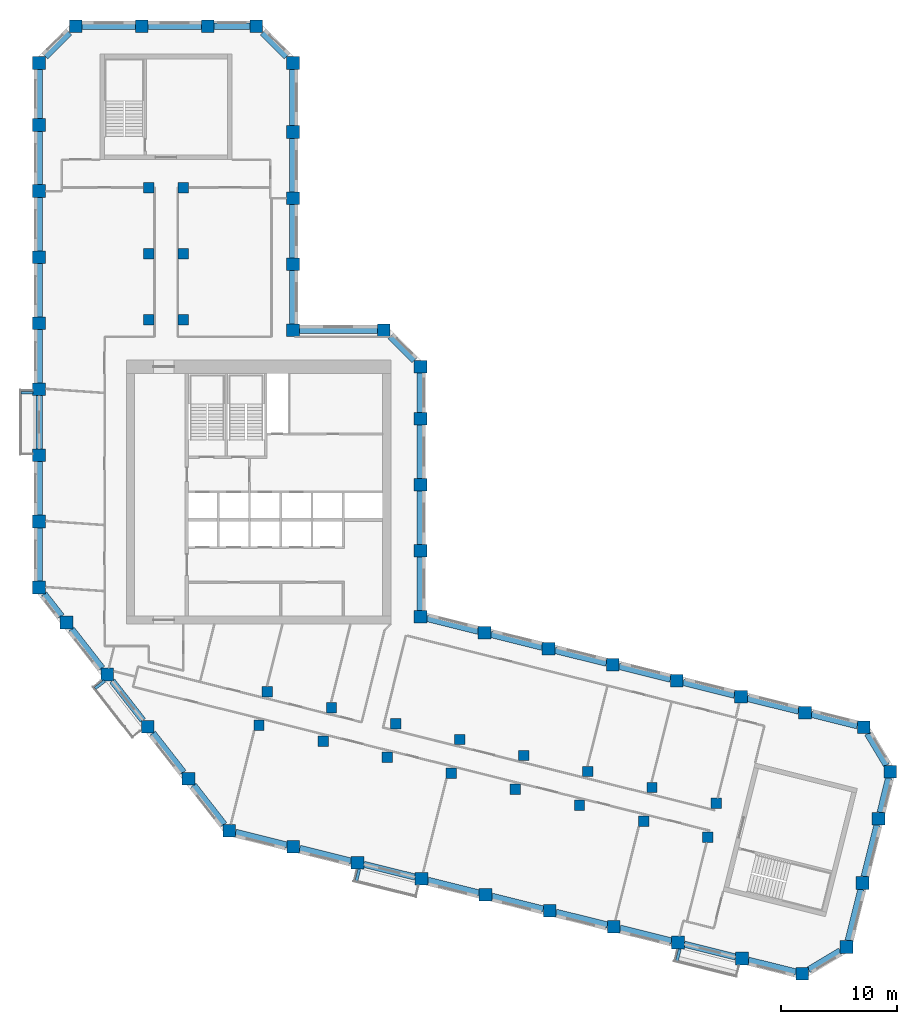
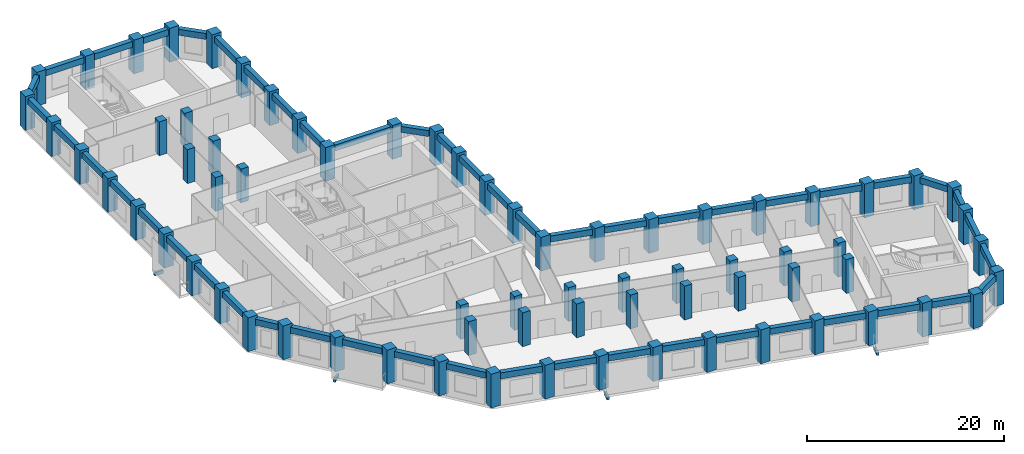
# One storey, part 1 of 10: 71 columns, 53 beams.
"""IFC4 building model written with IfcOpenShell, lengths in metres."""

from ifc_helpers import new_model, si_unit, direction, frame, origin, origin_2d, place, context, subcontext, project, spatial, rectangle, extrude, material, material_profile, profile_set, type_object, element, save


model = new_model("IFC4")

# Units and contexts
model_context = context("Model", 3, precision=1e-05, world=origin(), true_north=direction((0.0, 1.0)))
body_context = subcontext(model_context, "Body", "Model", "MODEL_VIEW")
ifc_project = project(units=[si_unit("LENGTHUNIT", "METRE"), si_unit("AREAUNIT", "SQUARE_METRE"), si_unit("VOLUMEUNIT", "CUBIC_METRE"), si_unit("PLANEANGLEUNIT", "RADIAN"), si_unit("MASSUNIT", "GRAM", prefix="KILO")], contexts=[model_context])

# Site, building, storey
site_placement = place(None, origin())
site = spatial("IfcSite", under=ifc_project, at=site_placement, CompositionType="ELEMENT")
building_placement = place(site_placement, origin())
building = spatial("IfcBuilding", under=site, at=building_placement, Name="Meshkara Civic Tower", CompositionType="ELEMENT")
storey_placement = place(building_placement, frame((0.0, 0.0, 263.39990234375)))
storey = spatial("IfcBuildingStorey", under=building, at=storey_placement, Name="L60", CompositionType="ELEMENT", Elevation=263.39990234375)

# Columns
ifc_material_1 = material(Name="Concrete C60", Category="concrete")
ifc_material_profile_1 = material_profile(ifc_material_1, rectangle(XDim=0.89990234375, YDim=0.89990234375, at=origin_2d()))
ifc_profile_set_1 = profile_set([ifc_material_profile_1], Name="Concrete C60")
column_type_1 = type_object("IfcColumnType", Name="Interior column RC 900x900 C60", PredefinedType="COLUMN", material=ifc_profile_set_1)
for number, where, z_axis, x_axis, name in (
    (1, (9.89990234375, 40.35009765625, 0.0), (0.0, 0.0, 1.0), (1.0, 0.0, 0.0), "Column SA1-04 L60"),
    (2, (9.89990234375, 46.050048828125, 0.0), (0.0, 0.0, 1.0), (1.0, 0.0, 0.0), "Column SA1-05 L60"),
    (3, (9.89990234375, 51.75, 0.0), (0.0, 0.0, 1.0), (1.0, 0.0, 0.0), "Column SA1-06 L60"),
    (4, (12.89990234375, 40.35009765625, 0.0), (0.0, 0.0, 1.0), (1.0, 0.0, 0.0), "Column SA2-04 L60"),
    (5, (12.89990234375, 46.050048828125, 0.0), (0.0, 0.0, 1.0), (1.0, 0.0, 0.0), "Column SA2-05 L60"),
    (6, (12.89990234375, 51.75, 0.0), (0.0, 0.0, 1.0), (1.0, 0.0, 0.0), "Column SA2-06 L60"),
    (7, (19.424072265625, 5.360107421875, 0.0), (0.0, 0.0, 1.0), (1.0, 0.0, 0.0), "Column SB1-00 L60"),
    (8, (24.9541015625, 3.98095703125, 0.0), (0.0, 0.0, 1.0), (1.0, 0.0, 0.0), "Column SB1-01 L60"),
    (9, (30.485107421875, 2.60205078125, 0.0), (0.0, 0.0, 1.0), (1.0, 0.0, 0.0), "Column SB1-02 L60"),
    (10, (36.01611328125, 1.222900390625, 0.0), (0.0, 0.0, 1.0), (1.0, 0.0, 0.0), "Column SB1-03 L60"),
    (11, (41.5458984375, -0.156005859375, 0.0), (0.0, 0.0, 1.0), (1.0, 0.0, 0.0), "Column SB1-04 L60"),
    (12, (47.076904296875, -1.534912109375, 0.0), (0.0, 0.0, 1.0), (1.0, 0.0, 0.0), "Column SB1-05 L60"),
    (13, (52.60791015625, -2.9140625, 0.0), (0.0, 0.0, 1.0), (1.0, 0.0, 0.0), "Column SB1-06 L60"),
    (14, (58.138916015625, -4.2919921875, 0.0), (0.0, 0.0, 1.0), (1.0, 0.0, 0.0), "Column SB1-07 L60"),
    (15, (20.14892578125, 8.27099609375, 0.0), (0.0, 0.0, 1.0), (1.0, 0.0, 0.0), "Column SB2-00 L60"),
    (16, (25.679931640625, 6.89208984375, 0.0), (0.0, 0.0, 1.0), (1.0, 0.0, 0.0), "Column SB2-01 L60"),
    (17, (31.2109375, 5.512939453125, 0.0), (0.0, 0.0, 1.0), (1.0, 0.0, 0.0), "Column SB2-02 L60"),
    (18, (36.741943359375, 4.134033203125, 0.0), (0.0, 0.0, 1.0), (1.0, 0.0, 0.0), "Column SB2-03 L60"),
    (19, (42.27197265625, 2.7548828125, 0.0), (0.0, 0.0, 1.0), (1.0, 0.0, 0.0), "Column SB2-04 L60"),
    (20, (47.802978515625, 1.3759765625, 0.0), (0.0, 0.0, 1.0), (1.0, 0.0, 0.0), "Column SB2-05 L60"),
    (21, (53.333984375, -0.0029296875, 0.0), (0.0, 0.0, 1.0), (1.0, 0.0, 0.0), "Column SB2-06 L60"),
    (22, (58.864013671875, -1.382080078125, 0.0), (0.0, 0.0, 1.0), (1.0, 0.0, 0.0), "Column SB2-07 L60"),
):
    element("IfcColumn", number, at=place(storey_placement, frame(where, z_axis=z_axis, x_axis=x_axis)), inside=storey, type_object=column_type_1, Name=name, PredefinedType="COLUMN", context=body_context, shape_type="SweptSolid", body=[
        extrude(rectangle(XDim=0.89990234375, YDim=0.89990234375, at=origin_2d()), origin(), (0.0, 0.0, 1.0), 4.2001953125),
    ])
ifc_material_2 = material(Name="Concrete C60", Category="concrete")
ifc_material_profile_2 = material_profile(ifc_material_2, rectangle(XDim=1.10009765625, YDim=1.10009765625, at=origin_2d()))
ifc_profile_set_2 = profile_set([ifc_material_profile_2], Name="Concrete C60")
column_type_2 = type_object("IfcColumnType", Name="Perimeter column RC 1100x1100 C60", PredefinedType="COLUMN", material=ifc_profile_set_2)
for number, where, z_axis, x_axis, name in (
    (23, (33.35009765625, 14.718994140625, 0.0), (0.0, 0.0, 1.0), (1.0, 0.0, 0.0), "Column HE00 L60"),
    (24, (33.35009765625, 20.4189453125, 0.0), (0.0, 0.0, 1.0), (1.0, 0.0, 0.0), "Column HE01 L60"),
    (25, (33.35009765625, 26.118896484375, 0.0), (0.0, 0.0, 1.0), (1.0, 0.0, 0.0), "Column HE02 L60"),
    (26, (33.35009765625, 31.819091796875, 0.0), (0.0, 0.0, 1.0), (1.0, 0.0, 0.0), "Column HE03 L60"),
    (27, (33.35009765625, 36.2939453125, 0.0), (0.0, 0.0, 1.0), (1.0, 0.0, 0.0), "Column HEE L60"),
    (28, (30.194091796875, 39.449951171875, 0.0), (0.0, 0.0, 1.0), (1.0, 0.0, 0.0), "Column HCeE L60"),
    (29, (22.35009765625, 39.449951171875, 0.0), (0.0, 0.0, 1.0), (1.0, 0.0, 0.0), "Column HN00 L60"),
    (30, (22.35009765625, 45.14990234375, 0.0), (0.0, 0.0, 1.0), (1.0, 0.0, 0.0), "Column AE01 L60"),
    (31, (22.35009765625, 50.85009765625, 0.0), (0.0, 0.0, 1.0), (1.0, 0.0, 0.0), "Column AE02 L60"),
    (32, (22.35009765625, 56.550048828125, 0.0), (0.0, 0.0, 1.0), (1.0, 0.0, 0.0), "Column AE03 L60"),
    (33, (22.35009765625, 62.513916015625, 0.0), (0.0, 0.0, 1.0), (1.0, 0.0, 0.0), "Column AEEP3 L60"),
    (34, (19.194091796875, 65.669921875, 0.0), (0.0, 0.0, 1.0), (1.0, 0.0, 0.0), "Column ATiEP3 L60"),
    (35, (3.60595703125, 65.669921875, 0.0), (0.0, 0.0, 1.0), (1.0, 0.0, 0.0), "Column AT00-P3 L60"),
    (36, (9.305908203125, 65.669921875, 0.0), (0.0, 0.0, 1.0), (1.0, 0.0, 0.0), "Column AT01-P3 L60"),
    (37, (15.006103515625, 65.669921875, 0.0), (0.0, 0.0, 1.0), (1.0, 0.0, 0.0), "Column AT02-P3 L60"),
    (38, (0.449951171875, 62.513916015625, 0.0), (0.0, 0.0, 1.0), (1.0, 0.0, 0.0), "Column ATo00-P3 L60"),
    (39, (0.449951171875, 17.2548828125, 0.0), (0.0, 0.0, 1.0), (1.0, 0.0, 0.0), "Column AW00 L60"),
    (40, (0.449951171875, 22.955078125, 0.0), (0.0, 0.0, 1.0), (1.0, 0.0, 0.0), "Column AW01 L60"),
    (41, (0.449951171875, 28.655029296875, 0.0), (0.0, 0.0, 1.0), (1.0, 0.0, 0.0), "Column AW02 L60"),
    (42, (0.449951171875, 34.35498046875, 0.0), (0.0, 0.0, 1.0), (1.0, 0.0, 0.0), "Column AW03 L60"),
    (43, (0.449951171875, 40.054931640625, 0.0), (0.0, 0.0, 1.0), (1.0, 0.0, 0.0), "Column AW04 L60"),
    (44, (0.449951171875, 45.7548828125, 0.0), (0.0, 0.0, 1.0), (1.0, 0.0, 0.0), "Column AW05 L60"),
    (45, (0.449951171875, 51.455078125, 0.0), (0.0, 0.0, 1.0), (1.0, 0.0, 0.0), "Column AW06 L60"),
    (46, (0.449951171875, 57.155029296875, 0.0), (0.0, 0.0, 1.0), (1.0, 0.0, 0.0), "Column AW07 L60"),
    (47, (16.85107421875, -3.738037109375, 0.0), (0.0, 0.0, 1.0), (1.0, 0.0, 0.0), "Column BOW00 L60"),
    (48, (13.342041015625, 0.75390625, 0.0), (0.0, 0.0, 1.0), (1.0, 0.0, 0.0), "Column BOW01 L60"),
    (49, (9.8330078125, 5.2451171875, 0.0), (0.0, 0.0, 1.0), (1.0, 0.0, 0.0), "Column BOW02 L60"),
    (50, (6.322998046875, 9.737060546875, 0.0), (0.0, 0.0, 1.0), (1.0, 0.0, 0.0), "Column BOW03 L60"),
    (51, (2.81396484375, 14.22900390625, 0.0), (0.0, 0.0, 1.0), (1.0, 0.0, 0.0), "Column BOW04 L60"),
    (52, (22.382080078125, -5.116943359375, 0.0), (0.0, 0.0, 1.0), (1.0, 0.0, 0.0), "Column BS01 L60"),
    (53, (27.912109375, -6.49609375, 0.0), (0.0, 0.0, 1.0), (1.0, 0.0, 0.0), "Column BS02 L60"),
    (54, (33.443115234375, -7.875, 0.0), (0.0, 0.0, 1.0), (1.0, 0.0, 0.0), "Column BS03 L60"),
    (55, (38.97412109375, -9.2529296875, 0.0), (0.0, 0.0, 1.0), (1.0, 0.0, 0.0), "Column BS04-P1 L60"),
    (56, (44.5048828125, -10.632080078125, 0.0), (0.0, 0.0, 1.0), (1.0, 0.0, 0.0), "Column BS05 L60"),
    (57, (50.034912109375, -12.010986328125, 0.0), (0.0, 0.0, 1.0), (1.0, 0.0, 0.0), "Column BS06 L60"),
    (58, (55.56591796875, -13.389892578125, 0.0), (0.0, 0.0, 1.0), (1.0, 0.0, 0.0), "Column BS07 L60"),
    (59, (61.096923828125, -14.76904296875, 0.0), (0.0, 0.0, 1.0), (1.0, 0.0, 0.0), "Column BS08 L60"),
    (60, (66.2958984375, -16.06494140625, 0.0), (0.0, 0.0, 1.0), (1.0, 0.0, 0.0), "Column BSEP3 L60"),
    (61, (70.1220703125, -13.76611328125, 0.0), (0.0, 0.0, 1.0), (1.0, 0.0, 0.0), "Column BToEP3 L60"),
    (62, (71.5009765625, -8.235107421875, 0.0), (0.0, 0.0, 1.0), (1.0, 0.0, 0.0), "Column BT01-P3 L60"),
    (63, (72.8798828125, -2.705078125, 0.0), (0.0, 0.0, 1.0), (1.0, 0.0, 0.0), "Column BT02-P3 L60"),
    (64, (73.89306640625, 1.35791015625, 0.0), (0.0, 0.0, 1.0), (1.0, 0.0, 0.0), "Column BTEP3 L60"),
    (65, (71.593994140625, 5.18310546875, 0.0), (0.0, 0.0, 1.0), (1.0, 0.0, 0.0), "Column BTi00-P3 L60"),
    (66, (38.881103515625, 13.340087890625, 0.0), (0.0, 0.0, 1.0), (1.0, 0.0, 0.0), "Column BN01 L60"),
    (67, (44.410888671875, 11.9609375, 0.0), (0.0, 0.0, 1.0), (1.0, 0.0, 0.0), "Column BN02 L60"),
    (68, (49.94189453125, 10.58203125, 0.0), (0.0, 0.0, 1.0), (1.0, 0.0, 0.0), "Column BN03 L60"),
    (69, (55.472900390625, 9.202880859375, 0.0), (0.0, 0.0, 1.0), (1.0, 0.0, 0.0), "Column BN04 L60"),
    (70, (61.0029296875, 7.823974609375, 0.0), (0.0, 0.0, 1.0), (1.0, 0.0, 0.0), "Column BN05 L60"),
    (71, (66.533935546875, 6.445068359375, 0.0), (0.0, 0.0, 1.0), (1.0, 0.0, 0.0), "Column BN06 L60"),
):
    element("IfcColumn", number, at=place(storey_placement, frame(where, z_axis=z_axis, x_axis=x_axis)), inside=storey, type_object=column_type_2, Name=name, PredefinedType="COLUMN", context=body_context, shape_type="SweptSolid", body=[
        extrude(rectangle(XDim=1.10009765625, YDim=1.10009765625, at=origin_2d()), origin(), (0.0, 0.0, 1.0), 4.2001953125),
    ])

# Beams
ifc_material_3 = material(Name="Concrete C50", Category="concrete")
ifc_material_profile_3 = material_profile(ifc_material_3, rectangle(XDim=0.25, YDim=0.39990234375, at=origin_2d()))
ifc_profile_set_3 = profile_set([ifc_material_profile_3], Name="Concrete C50")
beam_type_1 = type_object("IfcBeamType", Name="Balcony bracket beam RC 250x400 C50", PredefinedType="BEAM", material=ifc_profile_set_3)
beam_1_placement = place(storey_placement, frame((-0.094970703125, 34.054931640625, -0.5), z_axis=(-1.0, 0.0, 0.0), x_axis=(0.0, -1.0, 0.0)))
element("IfcBeam", 72, at=beam_1_placement, inside=storey, type_object=beam_type_1, Name="Balcony bracket beam", PredefinedType="BEAM", context=body_context, shape_type="SweptSolid", body=[
    extrude(rectangle(XDim=0.25, YDim=0.39990234375, at=origin_2d()), origin(), (0.0, 0.0, 1.0), 1.005126953125),
])
beam_2_placement = place(storey_placement, frame((6.110107421875, 9.18994140625, -0.5), z_axis=(-0.788091711778, -0.615557839546, 0.0), x_axis=(0.615557839546, -0.788091711778, 0.0)))
element("IfcBeam", 73, at=beam_2_placement, inside=storey, type_object=beam_type_1, Name="Balcony bracket beam", PredefinedType="BEAM", context=body_context, shape_type="SweptSolid", body=[
    extrude(rectangle(XDim=0.25, YDim=0.39990234375, at=origin_2d()), origin(), (0.0, 0.0, 1.0), 1.044189453125),
])
beam_3_placement = place(storey_placement, frame((28.0849609375, -7.041015625, -0.5), z_axis=(-0.241940897637, -0.970290988338, 0.0), x_axis=(0.970290988338, -0.241940897637, 0.0)))
element("IfcBeam", 74, at=beam_3_placement, inside=storey, type_object=beam_type_1, Name="Balcony bracket beam", PredefinedType="BEAM", context=body_context, shape_type="SweptSolid", body=[
    extrude(rectangle(XDim=0.25, YDim=0.39990234375, at=origin_2d()), origin(), (0.0, 0.0, 1.0), 1.0625),
])
beam_4_placement = place(storey_placement, frame((55.739013671875, -13.93505859375, -0.5), z_axis=(-0.241725333206, -0.970344713639, 0.0), x_axis=(0.970344713639, -0.241725333206, 0.0)))
element("IfcBeam", 75, at=beam_4_placement, inside=storey, type_object=beam_type_1, Name="Balcony bracket beam", PredefinedType="BEAM", context=body_context, shape_type="SweptSolid", body=[
    extrude(rectangle(XDim=0.25, YDim=0.39990234375, at=origin_2d()), origin(), (0.0, 0.0, 1.0), 1.0634765625),
])
ifc_material_4 = material(Name="Concrete C60", Category="concrete")
ifc_material_profile_4 = material_profile(ifc_material_4, rectangle(XDim=0.550048828125, YDim=0.75, at=origin_2d()))
ifc_profile_set_4 = profile_set([ifc_material_profile_4], Name="Concrete C60")
beam_type_2 = type_object("IfcBeamType", Name="Spandrel beam RC 550x750 C60", PredefinedType="BEAM", material=ifc_profile_set_4)
beam_5_placement = place(storey_placement, frame((65.989013671875, 6.580810546875, 3.525146484375), z_axis=(-0.970299186733, 0.241908016044, 0.0), x_axis=(-0.241908016044, -0.970299186733, 0.0)))
element("IfcBeam", 76, at=beam_5_placement, inside=storey, type_object=beam_type_2, Name="Spandrel beam BN05-BN06", PredefinedType="BEAM", context=body_context, shape_type="SweptSolid", body=[
    extrude(rectangle(XDim=0.550048828125, YDim=0.75, at=origin_2d()), origin(), (0.0, 0.0, 1.0), 4.576904296875),
])
beam_6_placement = place(storey_placement, frame((60.4580078125, 7.9599609375, 3.525146484375), z_axis=(-0.970286696562, 0.241958108925, 0.0), x_axis=(-0.241958108925, -0.970286696562, 0.0)))
element("IfcBeam", 77, at=beam_6_placement, inside=storey, type_object=beam_type_2, Name="Spandrel beam BN04-BN05", PredefinedType="BEAM", context=body_context, shape_type="SweptSolid", body=[
    extrude(rectangle(XDim=0.550048828125, YDim=0.75, at=origin_2d()), origin(), (0.0, 0.0, 1.0), 4.575927734375),
])
for number, where, z_axis, x_axis, name in (
    (78, (54.927978515625, 9.3388671875, 3.525146484375), (-0.970299186733, 0.241908016044, 0.0), (-0.241908016044, -0.970299186733, 0.0), "Spandrel beam BN03-BN04"),
    (79, (49.39697265625, 10.718017578125, 3.525146484375), (-0.970299186733, 0.241908016044, 0.0), (-0.241908016044, -0.970299186733, 0.0), "Spandrel beam BN02-BN03"),
):
    element("IfcBeam", number, at=place(storey_placement, frame(where, z_axis=z_axis, x_axis=x_axis)), inside=storey, type_object=beam_type_2, Name=name, PredefinedType="BEAM", context=body_context, shape_type="SweptSolid", body=[
        extrude(rectangle(XDim=0.550048828125, YDim=0.75, at=origin_2d()), origin(), (0.0, 0.0, 1.0), 4.576904296875),
    ])
beam_7_placement = place(storey_placement, frame((43.865966796875, 12.096923828125, 3.525146484375), z_axis=(-0.970286696562, 0.241958108925, 0.0), x_axis=(-0.241958108925, -0.970286696562, 0.0)))
element("IfcBeam", 80, at=beam_7_placement, inside=storey, type_object=beam_type_2, Name="Spandrel beam BN01-BN02", PredefinedType="BEAM", context=body_context, shape_type="SweptSolid", body=[
    extrude(rectangle(XDim=0.550048828125, YDim=0.75, at=origin_2d()), origin(), (0.0, 0.0, 1.0), 4.575927734375),
])
beam_8_placement = place(storey_placement, frame((38.3359375, 13.475830078125, 3.525146484375), z_axis=(-0.970299186733, 0.241908016044, 0.0), x_axis=(-0.241908016044, -0.970299186733, 0.0)))
element("IfcBeam", 81, at=beam_8_placement, inside=storey, type_object=beam_type_2, Name="Spandrel beam BN01-HE00", PredefinedType="BEAM", context=body_context, shape_type="SweptSolid", body=[
    extrude(rectangle(XDim=0.550048828125, YDim=0.75, at=origin_2d()), origin(), (0.0, 0.0, 1.0), 4.576904296875),
])
beam_9_placement = place(storey_placement, frame((33.35009765625, 15.263916015625, 3.525146484375), z_axis=(0.0, 1.0, 0.0), x_axis=(-1.0, 0.0, 0.0)))
element("IfcBeam", 82, at=beam_9_placement, inside=storey, type_object=beam_type_2, Name="Spandrel beam HE00-HE01", PredefinedType="BEAM", context=body_context, shape_type="SweptSolid", body=[
    extrude(rectangle(XDim=0.550048828125, YDim=0.75, at=origin_2d()), origin(), (0.0, 0.0, 1.0), 4.610107421875),
])
for number, where, z_axis, x_axis, name in (
    (83, (33.35009765625, 20.964111328125, 3.525146484375), (0.0, 1.0, 0.0), (-1.0, 0.0, 0.0), "Spandrel beam HE01-HE02"),
    (84, (33.35009765625, 26.6640625, 3.525146484375), (0.0, 1.0, 0.0), (-1.0, 0.0, 0.0), "Spandrel beam HE02-HE03"),
):
    element("IfcBeam", number, at=place(storey_placement, frame(where, z_axis=z_axis, x_axis=x_axis)), inside=storey, type_object=beam_type_2, Name=name, PredefinedType="BEAM", context=body_context, shape_type="SweptSolid", body=[
        extrude(rectangle(XDim=0.550048828125, YDim=0.75, at=origin_2d()), origin(), (0.0, 0.0, 1.0), 4.60986328125),
    ])
beam_10_placement = place(storey_placement, frame((33.35009765625, 32.364013671875, 3.525146484375), z_axis=(0.0, 1.0, 0.0), x_axis=(-1.0, 0.0, 0.0)))
element("IfcBeam", 85, at=beam_10_placement, inside=storey, type_object=beam_type_2, Name="Spandrel beam HE03-HEE", PredefinedType="BEAM", context=body_context, shape_type="SweptSolid", body=[
    extrude(rectangle(XDim=0.550048828125, YDim=0.75, at=origin_2d()), origin(), (0.0, 0.0, 1.0), 3.385009765625),
])
beam_11_placement = place(storey_placement, frame((32.803466796875, 36.840576171875, 3.525146484375), z_axis=(-0.707106781187, 0.707106781187, 0.0), x_axis=(-0.707106781187, -0.707106781187, 0.0)))
element("IfcBeam", 86, at=beam_11_placement, inside=storey, type_object=beam_type_2, Name="Spandrel beam HCeE-HEE", PredefinedType="BEAM", context=body_context, shape_type="SweptSolid", body=[
    extrude(rectangle(XDim=0.550048828125, YDim=0.75, at=origin_2d()), origin(), (0.0, 0.0, 1.0), 2.91748046875),
])
beam_12_placement = place(storey_placement, frame((29.64892578125, 39.449951171875, 3.525146484375), z_axis=(-1.0, 0.0, 0.0), x_axis=(0.0, -1.0, 0.0)))
element("IfcBeam", 87, at=beam_12_placement, inside=storey, type_object=beam_type_2, Name="Spandrel beam HCeE-HN00", PredefinedType="BEAM", context=body_context, shape_type="SweptSolid", body=[
    extrude(rectangle(XDim=0.550048828125, YDim=0.75, at=origin_2d()), origin(), (0.0, 0.0, 1.0), 6.75390625),
])
for number, where, z_axis, x_axis, name in (
    (88, (22.35009765625, 39.9951171875, 3.525146484375), (0.0, 1.0, 0.0), (-1.0, 0.0, 0.0), "Spandrel beam AE01-HN00"),
    (89, (22.35009765625, 45.695068359375, 3.525146484375), (0.0, 1.0, 0.0), (-1.0, 0.0, 0.0), "Spandrel beam AE01-AE02"),
    (90, (22.35009765625, 51.39501953125, 3.525146484375), (0.0, 1.0, 0.0), (-1.0, 0.0, 0.0), "Spandrel beam AE02-AE03"),
):
    element("IfcBeam", number, at=place(storey_placement, frame(where, z_axis=z_axis, x_axis=x_axis)), inside=storey, type_object=beam_type_2, Name=name, PredefinedType="BEAM", context=body_context, shape_type="SweptSolid", body=[
        extrude(rectangle(XDim=0.550048828125, YDim=0.75, at=origin_2d()), origin(), (0.0, 0.0, 1.0), 4.60986328125),
    ])
beam_13_placement = place(storey_placement, frame((22.35009765625, 57.094970703125, 3.525146484375), z_axis=(0.0, 1.0, 0.0), x_axis=(-1.0, 0.0, 0.0)))
element("IfcBeam", 91, at=beam_13_placement, inside=storey, type_object=beam_type_2, Name="Spandrel beam AE03-AEEP3", PredefinedType="BEAM", context=body_context, shape_type="SweptSolid", body=[
    extrude(rectangle(XDim=0.550048828125, YDim=0.75, at=origin_2d()), origin(), (0.0, 0.0, 1.0), 4.8740234375),
])
beam_14_placement = place(storey_placement, frame((21.803466796875, 63.060546875, 3.525146484375), z_axis=(-0.707106781187, 0.707106781187, 0.0), x_axis=(-0.707106781187, -0.707106781187, 0.0)))
element("IfcBeam", 92, at=beam_14_placement, inside=storey, type_object=beam_type_2, Name="Spandrel beam AEEP3-ATiEP3", PredefinedType="BEAM", context=body_context, shape_type="SweptSolid", body=[
    extrude(rectangle(XDim=0.550048828125, YDim=0.75, at=origin_2d()), origin(), (0.0, 0.0, 1.0), 2.91748046875),
])
beam_15_placement = place(storey_placement, frame((18.64892578125, 65.669921875, 3.525146484375), z_axis=(-1.0, 0.0, 0.0), x_axis=(0.0, -1.0, 0.0)))
element("IfcBeam", 93, at=beam_15_placement, inside=storey, type_object=beam_type_2, Name="Spandrel beam AT02-P3-ATiEP3", PredefinedType="BEAM", context=body_context, shape_type="SweptSolid", body=[
    extrude(rectangle(XDim=0.550048828125, YDim=0.75, at=origin_2d()), origin(), (0.0, 0.0, 1.0), 3.097900390625),
])
beam_16_placement = place(storey_placement, frame((14.4609375, 65.669921875, 3.525146484375), z_axis=(-1.0, 0.0, 0.0), x_axis=(0.0, -1.0, 0.0)))
element("IfcBeam", 94, at=beam_16_placement, inside=storey, type_object=beam_type_2, Name="Spandrel beam AT01-P3-AT02-P3", PredefinedType="BEAM", context=body_context, shape_type="SweptSolid", body=[
    extrude(rectangle(XDim=0.550048828125, YDim=0.75, at=origin_2d()), origin(), (0.0, 0.0, 1.0), 4.60986328125),
])
beam_17_placement = place(storey_placement, frame((8.760986328125, 65.669921875, 3.525146484375), z_axis=(-1.0, 0.0, 0.0), x_axis=(0.0, -1.0, 0.0)))
element("IfcBeam", 95, at=beam_17_placement, inside=storey, type_object=beam_type_2, Name="Spandrel beam AT00-P3-AT01-P3", PredefinedType="BEAM", context=body_context, shape_type="SweptSolid", body=[
    extrude(rectangle(XDim=0.550048828125, YDim=0.75, at=origin_2d()), origin(), (0.0, 0.0, 1.0), 4.610107421875),
])
beam_18_placement = place(storey_placement, frame((3.0595703125, 65.12353515625, 3.525146484375), z_axis=(-0.707106781187, -0.707106781187, 0.0), x_axis=(0.707106781187, -0.707106781187, 0.0)))
element("IfcBeam", 96, at=beam_18_placement, inside=storey, type_object=beam_type_2, Name="Spandrel beam AT00-P3-ATo00-P3", PredefinedType="BEAM", context=body_context, shape_type="SweptSolid", body=[
    extrude(rectangle(XDim=0.550048828125, YDim=0.75, at=origin_2d()), origin(), (0.0, 0.0, 1.0), 2.91748046875),
])
beam_19_placement = place(storey_placement, frame((0.449951171875, 61.968994140625, 3.525146484375), z_axis=(0.0, -1.0, 0.0), x_axis=(1.0, 0.0, 0.0)))
element("IfcBeam", 97, at=beam_19_placement, inside=storey, type_object=beam_type_2, Name="Spandrel beam ATo00-P3-AW07", PredefinedType="BEAM", context=body_context, shape_type="SweptSolid", body=[
    extrude(rectangle(XDim=0.550048828125, YDim=0.75, at=origin_2d()), origin(), (0.0, 0.0, 1.0), 4.26904296875),
])
beam_20_placement = place(storey_placement, frame((0.449951171875, 56.610107421875, 3.525146484375), z_axis=(0.0, -1.0, 0.0), x_axis=(1.0, 0.0, 0.0)))
element("IfcBeam", 98, at=beam_20_placement, inside=storey, type_object=beam_type_2, Name="Spandrel beam AW06-AW07", PredefinedType="BEAM", context=body_context, shape_type="SweptSolid", body=[
    extrude(rectangle(XDim=0.550048828125, YDim=0.75, at=origin_2d()), origin(), (0.0, 0.0, 1.0), 4.610107421875),
])
for number, where, z_axis, x_axis, name in (
    (99, (0.449951171875, 50.909912109375, 3.525146484375), (0.0, -1.0, 0.0), (1.0, 0.0, 0.0), "Spandrel beam AW05-AW06"),
    (100, (0.449951171875, 45.2099609375, 3.525146484375), (0.0, -1.0, 0.0), (1.0, 0.0, 0.0), "Spandrel beam AW04-AW05"),
):
    element("IfcBeam", number, at=place(storey_placement, frame(where, z_axis=z_axis, x_axis=x_axis)), inside=storey, type_object=beam_type_2, Name=name, PredefinedType="BEAM", context=body_context, shape_type="SweptSolid", body=[
        extrude(rectangle(XDim=0.550048828125, YDim=0.75, at=origin_2d()), origin(), (0.0, 0.0, 1.0), 4.60986328125),
    ])
for number, where, z_axis, x_axis, name in (
    (101, (0.449951171875, 39.510009765625, 3.525146484375), (0.0, -1.0, 0.0), (1.0, 0.0, 0.0), "Spandrel beam AW03-AW04"),
    (102, (0.449951171875, 33.81005859375, 3.525146484375), (0.0, -1.0, 0.0), (1.0, 0.0, 0.0), "Spandrel beam AW02-AW03"),
    (103, (0.449951171875, 28.110107421875, 3.525146484375), (0.0, -1.0, 0.0), (1.0, 0.0, 0.0), "Spandrel beam AW01-AW02"),
):
    element("IfcBeam", number, at=place(storey_placement, frame(where, z_axis=z_axis, x_axis=x_axis)), inside=storey, type_object=beam_type_2, Name=name, PredefinedType="BEAM", context=body_context, shape_type="SweptSolid", body=[
        extrude(rectangle(XDim=0.550048828125, YDim=0.75, at=origin_2d()), origin(), (0.0, 0.0, 1.0), 4.610107421875),
    ])
beam_21_placement = place(storey_placement, frame((0.449951171875, 22.409912109375, 3.525146484375), z_axis=(0.0, -1.0, 0.0), x_axis=(1.0, 0.0, 0.0)))
element("IfcBeam", 104, at=beam_21_placement, inside=storey, type_object=beam_type_2, Name="Spandrel beam AW00-AW01", PredefinedType="BEAM", context=body_context, shape_type="SweptSolid", body=[
    extrude(rectangle(XDim=0.550048828125, YDim=0.75, at=origin_2d()), origin(), (0.0, 0.0, 1.0), 4.60986328125),
])
beam_22_placement = place(storey_placement, frame((0.876708984375, 16.708984375, 3.525146484375), z_axis=(0.615626666257, -0.788037948194, 0.0), x_axis=(0.788037948194, 0.615626666257, 0.0)))
element("IfcBeam", 105, at=beam_22_placement, inside=storey, type_object=beam_type_2, Name="Spandrel beam AW00-BOW04", PredefinedType="BEAM", context=body_context, shape_type="SweptSolid", body=[
    extrude(rectangle(XDim=0.550048828125, YDim=0.75, at=origin_2d()), origin(), (0.0, 0.0, 1.0), 2.4541015625),
])
beam_23_placement = place(storey_placement, frame((3.240478515625, 13.682861328125, 3.525146484375), z_axis=(0.615647336498, -0.788021799865, 0.0), x_axis=(0.788021799865, 0.615647336498, 0.0)))
element("IfcBeam", 106, at=beam_23_placement, inside=storey, type_object=beam_type_2, Name="Spandrel beam BOW03-BOW04", PredefinedType="BEAM", context=body_context, shape_type="SweptSolid", body=[
    extrude(rectangle(XDim=0.550048828125, YDim=0.75, at=origin_2d()), origin(), (0.0, 0.0, 1.0), 4.314208984375),
])
beam_24_placement = place(storey_placement, frame((6.749755859375, 9.19091796875, 3.525146484375), z_axis=(0.615690159083, -0.787988342559, 0.0), x_axis=(0.787988342559, 0.615690159083, 0.0)))
element("IfcBeam", 107, at=beam_24_placement, inside=storey, type_object=beam_type_2, Name="Spandrel beam BOW02-BOW03", PredefinedType="BEAM", context=body_context, shape_type="SweptSolid", body=[
    extrude(rectangle(XDim=0.550048828125, YDim=0.75, at=origin_2d()), origin(), (0.0, 0.0, 1.0), 4.314697265625),
])
beam_25_placement = place(storey_placement, frame((10.259765625, 4.698974609375, 3.525146484375), z_axis=(0.615659419462, -0.788012359819, 0.0), x_axis=(0.788012359819, 0.615659419462, 0.0)))
element("IfcBeam", 108, at=beam_25_placement, inside=storey, type_object=beam_type_2, Name="Spandrel beam BOW01-BOW02", PredefinedType="BEAM", context=body_context, shape_type="SweptSolid", body=[
    extrude(rectangle(XDim=0.550048828125, YDim=0.75, at=origin_2d()), origin(), (0.0, 0.0, 1.0), 4.313232421875),
])
beam_26_placement = place(storey_placement, frame((13.7685546875, 0.2080078125, 3.525146484375), z_axis=(0.615584739249, -0.788070700384, 0.0), x_axis=(0.788070700384, 0.615584739249, 0.0)))
element("IfcBeam", 109, at=beam_26_placement, inside=storey, type_object=beam_type_2, Name="Spandrel beam BOW00-BOW01", PredefinedType="BEAM", context=body_context, shape_type="SweptSolid", body=[
    extrude(rectangle(XDim=0.550048828125, YDim=0.75, at=origin_2d()), origin(), (0.0, 0.0, 1.0), 4.314208984375),
])
beam_27_placement = place(storey_placement, frame((17.39599609375, -3.873779296875, 3.525146484375), z_axis=(0.970286664886, -0.24195823595, 0.0), x_axis=(0.24195823595, 0.970286664886, 0.0)))
element("IfcBeam", 110, at=beam_27_placement, inside=storey, type_object=beam_type_2, Name="Spandrel beam BOW00-BS01", PredefinedType="BEAM", context=body_context, shape_type="SweptSolid", body=[
    extrude(rectangle(XDim=0.550048828125, YDim=0.75, at=origin_2d()), origin(), (0.0, 0.0, 1.0), 4.576904296875),
])
beam_28_placement = place(storey_placement, frame((22.927001953125, -5.2529296875, 3.525146484375), z_axis=(0.970286696562, -0.241958108925, 0.0), x_axis=(0.241958108925, 0.970286696562, 0.0)))
element("IfcBeam", 111, at=beam_28_placement, inside=storey, type_object=beam_type_2, Name="Spandrel beam BS01-BS02", PredefinedType="BEAM", context=body_context, shape_type="SweptSolid", body=[
    extrude(rectangle(XDim=0.550048828125, YDim=0.75, at=origin_2d()), origin(), (0.0, 0.0, 1.0), 4.575927734375),
])
beam_29_placement = place(storey_placement, frame((28.45703125, -6.6318359375, 3.525146484375), z_axis=(0.970299186733, -0.241908016044, 0.0), x_axis=(0.241908016044, 0.970299186733, 0.0)))
element("IfcBeam", 112, at=beam_29_placement, inside=storey, type_object=beam_type_2, Name="Spandrel beam BS02-BS03", PredefinedType="BEAM", context=body_context, shape_type="SweptSolid", body=[
    extrude(rectangle(XDim=0.550048828125, YDim=0.75, at=origin_2d()), origin(), (0.0, 0.0, 1.0), 4.576904296875),
])
beam_30_placement = place(storey_placement, frame((33.988037109375, -8.0107421875, 3.525146484375), z_axis=(0.970336738613, -0.241757344662, 0.0), x_axis=(0.241757344662, 0.970336738613, 0.0)))
element("IfcBeam", 113, at=beam_30_placement, inside=storey, type_object=beam_type_2, Name="Spandrel beam BS03-BS04-P1", PredefinedType="BEAM", context=body_context, shape_type="SweptSolid", body=[
    extrude(rectangle(XDim=0.550048828125, YDim=0.75, at=origin_2d()), origin(), (0.0, 0.0, 1.0), 4.57666015625),
])
beam_31_placement = place(storey_placement, frame((39.51904296875, -9.388916015625, 3.525146484375), z_axis=(0.970299186733, -0.241908016044, 0.0), x_axis=(0.241908016044, 0.970299186733, 0.0)))
element("IfcBeam", 114, at=beam_31_placement, inside=storey, type_object=beam_type_2, Name="Spandrel beam BS04-P1-BS05", PredefinedType="BEAM", context=body_context, shape_type="SweptSolid", body=[
    extrude(rectangle(XDim=0.550048828125, YDim=0.75, at=origin_2d()), origin(), (0.0, 0.0, 1.0), 4.576904296875),
])
beam_32_placement = place(storey_placement, frame((45.050048828125, -10.767822265625, 3.525146484375), z_axis=(0.970286696562, -0.241958108925, 0.0), x_axis=(0.241958108925, 0.970286696562, 0.0)))
element("IfcBeam", 115, at=beam_32_placement, inside=storey, type_object=beam_type_2, Name="Spandrel beam BS05-BS06", PredefinedType="BEAM", context=body_context, shape_type="SweptSolid", body=[
    extrude(rectangle(XDim=0.550048828125, YDim=0.75, at=origin_2d()), origin(), (0.0, 0.0, 1.0), 4.575927734375),
])
for number, where, z_axis, x_axis, name in (
    (116, (50.580078125, -12.14697265625, 3.525146484375), (0.970299186733, -0.241908016044, 0.0), (0.241908016044, 0.970299186733, 0.0), "Spandrel beam BS06-BS07"),
    (117, (56.111083984375, -13.52587890625, 3.525146484375), (0.970299186733, -0.241908016044, 0.0), (0.241908016044, 0.970299186733, 0.0), "Spandrel beam BS07-BS08"),
):
    element("IfcBeam", number, at=place(storey_placement, frame(where, z_axis=z_axis, x_axis=x_axis)), inside=storey, type_object=beam_type_2, Name=name, PredefinedType="BEAM", context=body_context, shape_type="SweptSolid", body=[
        extrude(rectangle(XDim=0.550048828125, YDim=0.75, at=origin_2d()), origin(), (0.0, 0.0, 1.0), 4.576904296875),
    ])
beam_33_placement = place(storey_placement, frame((61.64208984375, -14.90478515625, 3.525146484375), z_axis=(0.970298301424, -0.24191156701, 0.0), x_axis=(0.24191156701, 0.970298301424, 0.0)))
element("IfcBeam", 118, at=beam_33_placement, inside=storey, type_object=beam_type_2, Name="Spandrel beam BS08-BSEP3", PredefinedType="BEAM", context=body_context, shape_type="SweptSolid", body=[
    extrude(rectangle(XDim=0.550048828125, YDim=0.75, at=origin_2d()), origin(), (0.0, 0.0, 1.0), 4.234619140625),
])
beam_34_placement = place(storey_placement, frame((66.841796875, -15.737060546875, 3.525146484375), z_axis=(0.857175401914, 0.51502459199, 0.0), x_axis=(-0.51502459199, 0.857175401914, 0.0)))
element("IfcBeam", 119, at=beam_34_placement, inside=storey, type_object=beam_type_2, Name="Spandrel beam BSEP3-BToEP3", PredefinedType="BEAM", context=body_context, shape_type="SweptSolid", body=[
    extrude(rectangle(XDim=0.550048828125, YDim=0.75, at=origin_2d()), origin(), (0.0, 0.0, 1.0), 3.190185546875),
])
beam_35_placement = place(storey_placement, frame((70.2578125, -13.220947265625, 3.525146484375), z_axis=(0.241908016044, 0.970299186733, 0.0), x_axis=(-0.970299186733, 0.241908016044, 0.0)))
element("IfcBeam", 120, at=beam_35_placement, inside=storey, type_object=beam_type_2, Name="Spandrel beam BT01-P3-BToEP3", PredefinedType="BEAM", context=body_context, shape_type="SweptSolid", body=[
    extrude(rectangle(XDim=0.550048828125, YDim=0.75, at=origin_2d()), origin(), (0.0, 0.0, 1.0), 4.576904296875),
])
beam_36_placement = place(storey_placement, frame((71.636962890625, -7.68994140625, 3.525146484375), z_axis=(0.241958108925, 0.970286696562, 0.0), x_axis=(-0.970286696562, 0.241958108925, 0.0)))
element("IfcBeam", 121, at=beam_36_placement, inside=storey, type_object=beam_type_2, Name="Spandrel beam BT01-P3-BT02-P3", PredefinedType="BEAM", context=body_context, shape_type="SweptSolid", body=[
    extrude(rectangle(XDim=0.550048828125, YDim=0.75, at=origin_2d()), origin(), (0.0, 0.0, 1.0), 4.575927734375),
])
beam_37_placement = place(storey_placement, frame((73.015869140625, -2.159912109375, 3.525146484375), z_axis=(0.24191686251, 0.970296981152, 0.0), x_axis=(-0.970296981152, 0.24191686251, 0.0)))
element("IfcBeam", 122, at=beam_37_placement, inside=storey, type_object=beam_type_2, Name="Spandrel beam BT02-P3-BTEP3", PredefinedType="BEAM", context=body_context, shape_type="SweptSolid", body=[
    extrude(rectangle(XDim=0.550048828125, YDim=0.75, at=origin_2d()), origin(), (0.0, 0.0, 1.0), 3.06396484375),
])
beam_38_placement = place(storey_placement, frame((73.56494140625, 1.90380859375, 3.525146484375), z_axis=(-0.515137320802, 0.857107659934, 0.0), x_axis=(-0.857107659934, -0.515137320802, 0.0)))
element("IfcBeam", 123, at=beam_38_placement, inside=storey, type_object=beam_type_2, Name="Spandrel beam BTEP3-BTi00-P3", PredefinedType="BEAM", context=body_context, shape_type="SweptSolid", body=[
    extrude(rectangle(XDim=0.550048828125, YDim=0.75, at=origin_2d()), origin(), (0.0, 0.0, 1.0), 3.189208984375),
])
beam_39_placement = place(storey_placement, frame((71.048828125, 5.319091796875, 3.525146484375), z_axis=(-0.970282744603, 0.241973956296, 0.0), x_axis=(-0.241973956296, -0.970282744603, 0.0)))
element("IfcBeam", 124, at=beam_39_placement, inside=storey, type_object=beam_type_2, Name="Spandrel beam BN06-BTi00-P3", PredefinedType="BEAM", context=body_context, shape_type="SweptSolid", body=[
    extrude(rectangle(XDim=0.550048828125, YDim=0.75, at=origin_2d()), origin(), (0.0, 0.0, 1.0), 4.09130859375),
])

save(model, "model.ifc")
